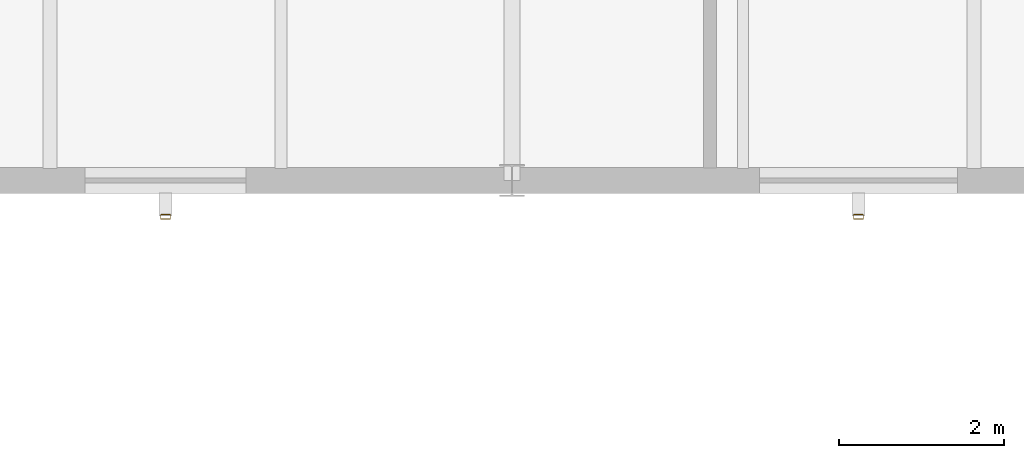
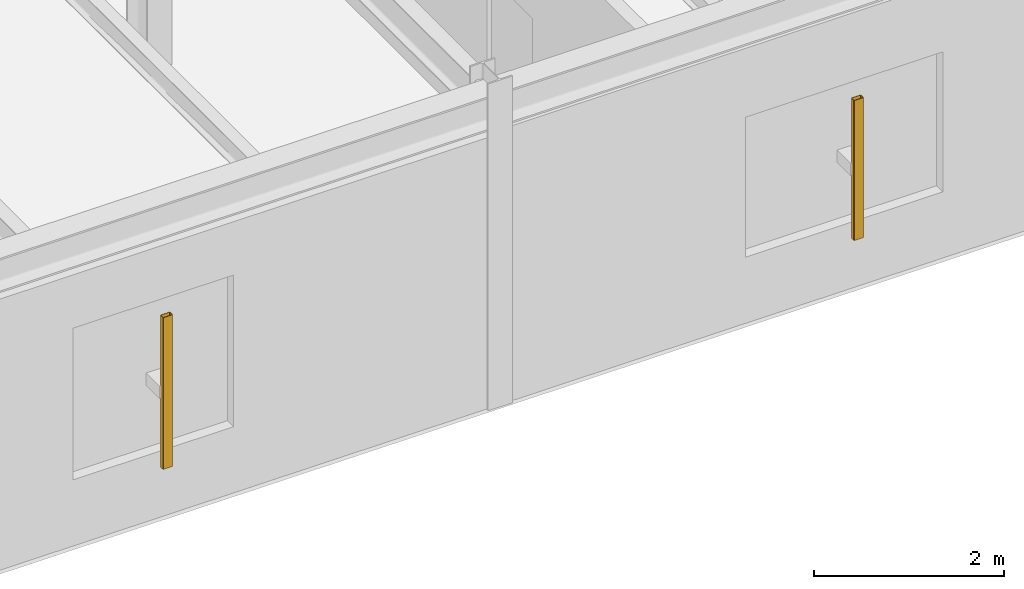
# One storey, part 93 of 109: 2 shading devices.
"""IFC4 building model written with IfcOpenShell, lengths in metres."""

from ifc_helpers import new_model, si_unit, derived_unit, direction, frame, origin, origin_2d, place, context, subcontext, project, spatial, hollow_rectangle, extrude, material, material_profile, profile_set, type_object, element, save


model = new_model("IFC4")

# Units and contexts
model_context = context("Model", 3, precision=1e-05, world=origin(), true_north=direction((0.0, 1.0)))
body_context = subcontext(model_context, "Body", "Model", "MODEL_VIEW")
ifc_project = project(units=[si_unit("LENGTHUNIT", "METRE"), si_unit("AREAUNIT", "SQUARE_METRE"), si_unit("VOLUMEUNIT", "CUBIC_METRE"), si_unit("PLANEANGLEUNIT", "RADIAN"), si_unit("MASSUNIT", "GRAM", prefix="KILO"), derived_unit("THERMALTRANSMITTANCEUNIT", [(si_unit("MASSUNIT", "GRAM", prefix="KILO"), 1), (si_unit("TIMEUNIT", "SECOND"), -3), (si_unit("THERMODYNAMICTEMPERATUREUNIT", "KELVIN"), -1)])], contexts=[model_context])

# Site, building, storey
site_placement = place(None, origin())
site = spatial("IfcSite", under=ifc_project, at=site_placement, CompositionType="ELEMENT")
building_placement = place(site_placement, origin())
building = spatial("IfcBuilding", under=site, at=building_placement, Name="Kharveza Railside Sports Centre", CompositionType="ELEMENT")
storey_placement = place(building_placement, frame((0.0, 0.0, 4.5)))
storey = spatial("IfcBuildingStorey", under=building, at=storey_placement, Name="L01", CompositionType="ELEMENT", Elevation=4.5)

# Shading devices
ifc_material = material(Name="Anodised aluminium 6063-T6", Category="aluminium")
ifc_material_profile = material_profile(ifc_material, hollow_rectangle(XDim=0.06005859375, YDim=0.1201171875, WallThickness=0.0048828125, InnerFilletRadius=0.0048828125, OuterFilletRadius=0.010009765625, at=origin_2d()), Name="RHS 60x120x5.0")
ifc_profile_set = profile_set([ifc_material_profile], Name="Anodised aluminium 6063-T6")
shading_device_type = type_object("IfcShadingDeviceType", Name="SD-LV01", PredefinedType="JALOUSIE", material=ifc_profile_set)
shading_device_1_placement = place(storey_placement, frame((130.199951171875, 6.760009765625, 0.85009765625), z_axis=(0.0, 0.0, 1.0), x_axis=(0.0, -1.0, 0.0)))
element("IfcShadingDevice", 1, at=shading_device_1_placement, inside=storey, type_object=shading_device_type, Name="SD-FIN-033", PredefinedType="JALOUSIE", context=body_context, shape_type="SweptSolid", body=[
    extrude(hollow_rectangle(XDim=0.06005859375, YDim=0.1201171875, WallThickness=0.0048828125, InnerFilletRadius=0.0048828125, OuterFilletRadius=0.010009765625, at=origin_2d()), origin(), (0.0, 0.0, 1.0), 1.949951171875),
])
shading_device_2_placement = place(storey_placement, frame((138.60009765625, 6.760009765625, 0.85009765625), z_axis=(0.0, 0.0, 1.0), x_axis=(0.0, -1.0, 0.0)))
element("IfcShadingDevice", 2, at=shading_device_2_placement, inside=storey, type_object=shading_device_type, Name="SD-FIN-034", PredefinedType="JALOUSIE", context=body_context, shape_type="SweptSolid", body=[
    extrude(hollow_rectangle(XDim=0.06005859375, YDim=0.1201171875, WallThickness=0.0048828125, InnerFilletRadius=0.0048828125, OuterFilletRadius=0.010009765625, at=origin_2d()), origin(), (0.0, 0.0, 1.0), 1.7998046875),
])

save(model, "model.ifc")
